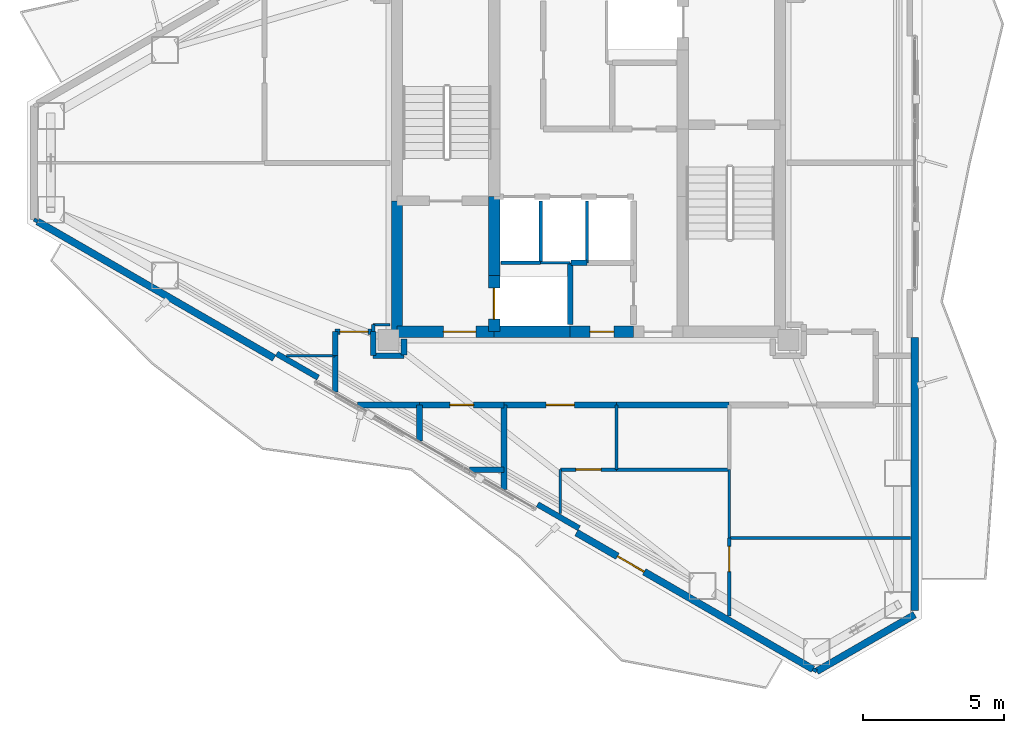
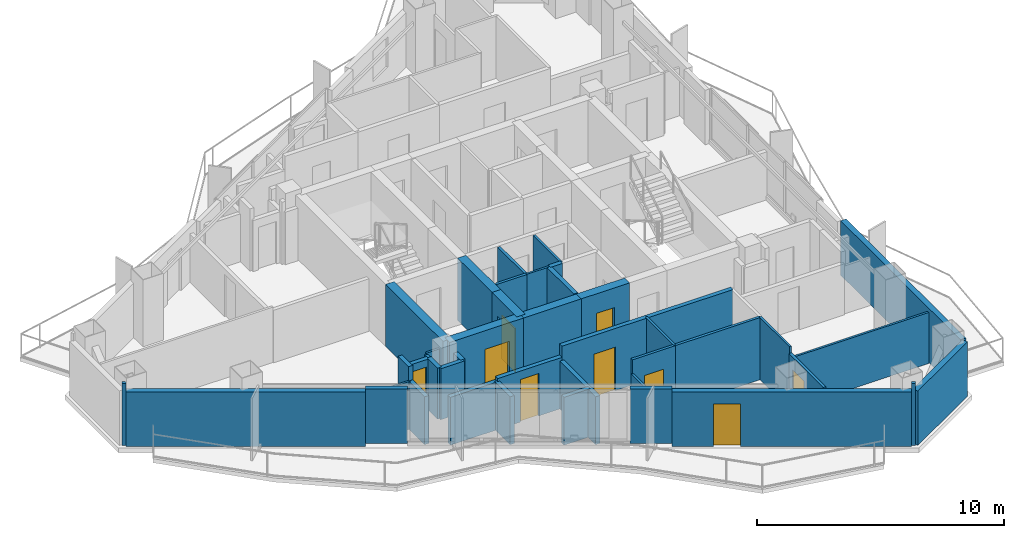
# One storey, part 16 of 21: 43 walls, 9 doors, 9 openings.
"""IFC4 building model written with IfcOpenShell, lengths in metres."""

from ifc_helpers import new_model, si_unit, direction, frame, frame_2d, origin, place, context, subcontext, project, spatial, rectangle, extrude, material, layer, layer_set, type_object, element, fill, save


model = new_model("IFC4")

# Units and contexts
model_context = context("Model", 3, precision=1e-05, world=origin(), true_north=direction((0.0, 1.0)))
body_context = subcontext(model_context, "Body", "Model", "MODEL_VIEW")
ifc_project = project(units=[si_unit("LENGTHUNIT", "METRE"), si_unit("AREAUNIT", "SQUARE_METRE"), si_unit("VOLUMEUNIT", "CUBIC_METRE"), si_unit("PLANEANGLEUNIT", "RADIAN"), si_unit("MASSUNIT", "GRAM", prefix="KILO")], contexts=[model_context])

# Site, building, storey
site_placement = place(None, origin())
site = spatial("IfcSite", under=ifc_project, at=site_placement, CompositionType="ELEMENT")
building_placement = place(site_placement, origin())
building = spatial("IfcBuilding", under=site, at=building_placement, Name="Mersakhor Tower and Convention Hall", CompositionType="ELEMENT")
storey_placement = place(building_placement, frame((0.0, 0.0, 182.10009765625)))
storey = spatial("IfcBuildingStorey", under=building, at=storey_placement, Name="L50", CompositionType="ELEMENT", Elevation=182.10009765625)

# Walls
ifc_material_1 = material(Name="Precast concrete C40/50", Category="concrete")
ifc_layer_1 = layer(ifc_material_1, 0.25)
ifc_layer_set_1 = layer_set([ifc_layer_1], Name="Precast concrete C40/50")
wall_type_1 = type_object("IfcWallType", Name="WL-EXT-250", PredefinedType="SOLIDWALL", material=ifc_layer_set_1)
wall_1_placement = place(storey_placement, frame((40.58837890625, 10.70166015625, 0.0), z_axis=(0.0, 0.0, 1.0), x_axis=(-0.866023907196, -0.500002592159, 0.0)))
element("IfcWall", 1, at=wall_1_placement, inside=storey, type_object=wall_type_1, Name="L50 Chamfer Braced Spandrel Wall C2", PredefinedType="SOLIDWALL", context=body_context, shape_type="SweptSolid", body=[
    extrude(rectangle(XDim=4.0234375, YDim=0.25, at=frame_2d((2.01171875, 0.0))), origin(), (0.0, 0.0, 1.0), 2.68994140625),
])
wall_2_placement = place(storey_placement, frame((40.58837890625, 20.550537109375, 0.0), z_axis=(0.0, 0.0, 1.0), x_axis=(0.0, -1.0, 0.0)))
element("IfcWall", 2, at=wall_2_placement, inside=storey, type_object=wall_type_1, Name="L50 Exterior Facade Wall F2-B3", PredefinedType="SOLIDWALL", context=body_context, shape_type="SweptSolid", body=[
    extrude(rectangle(XDim=9.698974609375, YDim=0.25, at=frame_2d((4.849609375, 0.0))), origin(), (0.0, 0.0, 1.0), 2.68994140625),
])

# Wall, opening, door
wall_3_placement = place(storey_placement, frame((36.97412109375, 8.764892578125, 0.0), z_axis=(0.0, 0.0, 1.0), x_axis=(-0.866016233231, 0.500015883528, 0.0)))
wall_3 = element("IfcWall", 3, at=wall_3_placement, inside=storey, type_object=wall_type_1, Name="L50 Exterior Facade Wall F3-B1", PredefinedType="SOLIDWALL", context=body_context, shape_type="SweptSolid", body=[
    extrude(rectangle(XDim=9.698974609375, YDim=0.25, at=frame_2d((4.849609375, 0.0))), origin(), (0.0, 0.0, 1.0), 2.68994140625),
])
opening_1_placement = place(wall_3_placement, frame((6.9189453125, 0.0, 0.0)))
opening_1 = element("IfcOpeningElement", 4, at=opening_1_placement, cuts=wall_3, Name="Opening BD-02", PredefinedType="OPENING", context=body_context, shape_type="SweptSolid", body=[
    extrude(rectangle(XDim=1.10009765625, YDim=2.10009765625, at=frame_2d((0.550048828125, 1.050048828125))), frame((0.0, 0.135009765625, 0.0), z_axis=(0.0, -1.0, 0.0), x_axis=(1.0, 0.0, 0.0)), (0.0, 0.0, 1.0), 0.27001953125),
])
ifc_material_2 = material(Name="Thermally broken dark aluminium and safety glass", Category="aluminium")
door_type_1 = type_object("IfcDoorType", Name="DR-BAL-110x210", OperationType="NOTDEFINED", PredefinedType="DOOR", material=ifc_material_2)
door_1_placement = place(opening_1_placement, origin())
door_1 = element("IfcDoor", 5, at=door_1_placement, inside=storey, type_object=door_type_1, Name="L50 Balcony Terrace Door F3-B1", OperationType="SINGLE_SWING_RIGHT", OverallHeight=2.10009765625, OverallWidth=1.10009765625, PredefinedType="DOOR", context=body_context, shape_type="SweptSolid", body=[
    extrude(rectangle(XDim=1.10009765625, YDim=2.10009765625, at=frame_2d((0.550048828125, 1.050048828125))), frame((0.0, 0.02490234375, 0.0), z_axis=(0.0, -1.0, 0.0), x_axis=(1.0, 0.0, 0.0)), (0.0, 0.0, 1.0), 0.050048828125),
])
fill(opening_1, door_1)

# Walls
wall_4_placement = place(storey_placement, frame((17.8369140625, 19.81396484375, 0.0), z_axis=(0.0, 0.0, 1.0), x_axis=(-0.866027133173, 0.499997004599, 0.0)))
element("IfcWall", 6, at=wall_4_placement, inside=storey, type_object=wall_type_1, Name="L50 Exterior Facade Wall F3-B3", PredefinedType="SOLIDWALL", context=body_context, shape_type="SweptSolid", body=[
    extrude(rectangle(XDim=9.69873046875, YDim=0.25, at=frame_2d((4.849365234375, 0.0))), origin(), (0.0, 0.0, 1.0), 2.68994140625),
])
ifc_material_3 = material(Name="Precast concrete C40/50", Category="concrete")
ifc_layer_2 = layer(ifc_material_3, 0.199951171875)
ifc_layer_set_2 = layer_set([ifc_layer_2], Name="Precast concrete C40/50")
wall_type_2 = type_object("IfcWallType", Name="WL-PAR-200", PredefinedType="PARAPET", material=ifc_layer_set_2)
wall_5_placement = place(storey_placement, frame((28.664794921875, 13.770263671875, 0.0), z_axis=(0.0, 0.0, 1.0), x_axis=(-0.866025371046, 0.500000056704, 0.0)))
element("IfcWall", 7, at=wall_5_placement, inside=storey, type_object=wall_type_2, Name="L50 Column Pier Cladding Wall F3-C1", PredefinedType="PARAPET", context=body_context, shape_type="SweptSolid", body=[
    extrude(rectangle(XDim=1.7001953125, YDim=0.199951171875, at=frame_2d((0.85009765625, 0.0))), origin(), (0.0, 0.0, 1.0), 2.68994140625),
])
wall_6_placement = place(storey_placement, frame((19.399169921875, 19.119873046875, 0.0), z_axis=(0.0, 0.0, 1.0), x_axis=(-0.86605165483, 0.499954529098, 0.0)))
element("IfcWall", 8, at=wall_6_placement, inside=storey, type_object=wall_type_2, Name="L50 Column Pier Cladding Wall F3-C2", PredefinedType="PARAPET", context=body_context, shape_type="SweptSolid", body=[
    extrude(rectangle(XDim=1.699951171875, YDim=0.199951171875, at=frame_2d((0.85009765625, 0.0))), origin(), (0.0, 0.0, 1.0), 2.68994140625),
])
ifc_material_4 = material(Name="Lightweight gypsum partition", Category="other")
ifc_layer_3 = layer(ifc_material_4, 0.10009765625)
ifc_layer_set_3 = layer_set([ifc_layer_3], Name="Lightweight gypsum partition")
wall_type_3 = type_object("IfcWallType", Name="WL-PRT-100", PredefinedType="PARTITIONING", material=ifc_layer_set_3)
wall_7_placement = place(storey_placement, frame((27.300048828125, 23.199951171875, 0.0), z_axis=(0.0, 0.0, 1.0), x_axis=(1.0, 0.0, 0.0)))
element("IfcWall", 9, at=wall_7_placement, inside=storey, type_object=wall_type_3, Name="L50 Interior Partition Wall P-002", PredefinedType="PARTITIONING", context=body_context, shape_type="SweptSolid", body=[
    extrude(rectangle(XDim=1.050048828125, YDim=0.10009765625, at=frame_2d((0.52490234375, 0.0))), origin(), (0.0, 0.0, 1.0), 3.06982421875),
])
wall_8_placement = place(storey_placement, frame((28.949951171875, 25.39990234375, 0.0), z_axis=(0.0, 0.0, 1.0), x_axis=(0.0, -1.0, 0.0)))
element("IfcWall", 10, at=wall_8_placement, inside=storey, type_object=wall_type_3, Name="L50 Interior Partition Wall P-008", PredefinedType="PARTITIONING", context=body_context, shape_type="SweptSolid", body=[
    extrude(rectangle(XDim=2.199951171875, YDim=0.10009765625, at=frame_2d((1.10009765625, 0.0))), origin(), (0.0, 0.0, 1.0), 3.06982421875),
])
wall_9_placement = place(storey_placement, frame((21.949951171875, 21.0, 0.0), z_axis=(0.0, 0.0, 1.0), x_axis=(-1.0, 0.0, 0.0)))
element("IfcWall", 11, at=wall_9_placement, inside=storey, type_object=wall_type_3, Name="L50 Interior Partition Wall P-058", PredefinedType="PARTITIONING", context=body_context, shape_type="SweptSolid", body=[
    extrude(rectangle(XDim=0.599853515625, YDim=0.10009765625, at=frame_2d((0.2998046875, 0.0))), origin(), (0.0, 0.0, 1.0), 2.594970703125),
])
wall_10_placement = place(storey_placement, frame((20.0, 19.89990234375, 0.0), z_axis=(0.0, 0.0, 1.0), x_axis=(-1.0, 0.0, 0.0)))
element("IfcWall", 12, at=wall_10_placement, inside=storey, type_object=wall_type_3, Name="L50 Interior Partition Wall P-060", PredefinedType="PARTITIONING", context=body_context, shape_type="SweptSolid", body=[
    extrude(rectangle(XDim=1.726806640625, YDim=0.10009765625, at=frame_2d((0.86328125, 0.0))), origin(), (0.0, 0.0, 1.0), 2.364990234375),
])
wall_11_placement = place(storey_placement, frame((30.0, 18.14990234375, 0.0), z_axis=(0.0, 0.0, 1.0), x_axis=(0.0, -1.0, 0.0)))
element("IfcWall", 13, at=wall_11_placement, inside=storey, type_object=wall_type_3, Name="L50 Interior Partition Wall P-084", PredefinedType="PARTITIONING", context=body_context, shape_type="SweptSolid", body=[
    extrude(rectangle(XDim=2.2998046875, YDim=0.10009765625, at=frame_2d((1.14990234375, 0.0))), origin(), (0.0, 0.0, 1.0), 3.06982421875),
])
wall_12_placement = place(storey_placement, frame((28.0, 15.85009765625, 0.0), z_axis=(0.0, 0.0, 1.0), x_axis=(0.0, -1.0, 0.0)))
element("IfcWall", 14, at=wall_12_placement, inside=storey, type_object=wall_type_3, Name="L50 Interior Partition Wall P-086", PredefinedType="PARTITIONING", context=body_context, shape_type="SweptSolid", body=[
    extrude(rectangle(XDim=1.552978515625, YDim=0.10009765625, at=frame_2d((0.7763671875, 0.0))), origin(), (0.0, 0.0, 1.0), 2.364990234375),
])
wall_13_placement = place(storey_placement, frame((34.0, 15.85009765625, 0.0), z_axis=(0.0, 0.0, 1.0), x_axis=(0.0, -1.0, 0.0)))
element("IfcWall", 15, at=wall_13_placement, inside=storey, type_object=wall_type_3, Name="L50 Interior Partition Wall P-088", PredefinedType="PARTITIONING", context=body_context, shape_type="SweptSolid", body=[
    extrude(rectangle(XDim=2.43017578125, YDim=0.10009765625, at=frame_2d((1.215087890625, 0.0))), origin(), (0.0, 0.0, 1.0), 3.06982421875),
])
wall_14_placement = place(storey_placement, frame((34.0, 13.419921875, 0.0), z_axis=(0.0, 0.0, 1.0), x_axis=(1.0, 0.0, 0.0)))
element("IfcWall", 16, at=wall_14_placement, inside=storey, type_object=wall_type_3, Name="L50 Interior Partition Wall P-090", PredefinedType="PARTITIONING", context=body_context, shape_type="SweptSolid", body=[
    extrude(rectangle(XDim=6.439453125, YDim=0.10009765625, at=frame_2d((3.2197265625, 0.0))), origin(), (0.0, 0.0, 1.0), 2.518310546875),
])
ifc_material_5 = material(Name="Gypsum board acoustic partition", Category="other")
ifc_layer_4 = layer(ifc_material_5, 0.125)
ifc_layer_set_4 = layer_set([ifc_layer_4], Name="Gypsum board acoustic partition")
wall_type_4 = type_object("IfcWallType", Name="WL-PRT-125", PredefinedType="PARTITIONING", material=ifc_layer_set_4)
wall_15_placement = place(storey_placement, frame((25.89990234375, 23.199951171875, 0.0), z_axis=(0.0, 0.0, 1.0), x_axis=(1.0, 0.0, 0.0)))
element("IfcWall", 17, at=wall_15_placement, inside=storey, type_object=wall_type_4, Name="L50 Interior Partition Wall P-001", PredefinedType="PARTITIONING", context=body_context, shape_type="SweptSolid", body=[
    extrude(rectangle(XDim=1.400146484375, YDim=0.125, at=frame_2d((0.7001953125, 0.0))), origin(), (0.0, 0.0, 1.0), 3.06982421875),
])
wall_16_placement = place(storey_placement, frame((27.300048828125, 25.39990234375, 0.0), z_axis=(0.0, 0.0, 1.0), x_axis=(0.0, -1.0, 0.0)))
element("IfcWall", 18, at=wall_16_placement, inside=storey, type_object=wall_type_4, Name="L50 Interior Partition Wall P-007", PredefinedType="PARTITIONING", context=body_context, shape_type="SweptSolid", body=[
    extrude(rectangle(XDim=2.199951171875, YDim=0.125, at=frame_2d((1.10009765625, 0.0))), origin(), (0.0, 0.0, 1.0), 3.06982421875),
])
wall_17_placement = place(storey_placement, frame((21.35009765625, 21.0, 0.0), z_axis=(0.0, 0.0, 1.0), x_axis=(0.0, -1.0, 0.0)))
element("IfcWall", 19, at=wall_17_placement, inside=storey, type_object=wall_type_4, Name="L50 Interior Partition Wall P-059", PredefinedType="PARTITIONING", context=body_context, shape_type="SweptSolid", body=[
    extrude(rectangle(XDim=0.25, YDim=0.125, at=frame_2d((0.125, 0.0))), origin(), (0.0, 0.0, 1.0), 2.518310546875),
])
wall_18_placement = place(storey_placement, frame((9.437255859375, 24.662841796875, 0.0), z_axis=(0.0, 0.0, 1.0), x_axis=(-0.866239593359, 0.499628829129, 0.0)))
element("IfcWall", 20, at=wall_18_placement, inside=storey, type_object=wall_type_4, Name="L50 Interior Partition Wall P-061", PredefinedType="PARTITIONING", context=body_context, shape_type="SweptSolid", body=[
    extrude(rectangle(XDim=0.150390625, YDim=0.125, at=frame_2d((0.0751953125, 0.0))), origin(), (0.0, 0.0, 1.0), 3.06982421875),
])

# Wall, opening, door
wall_19_placement = place(storey_placement, frame((30.0, 15.85009765625, 0.0), z_axis=(0.0, 0.0, 1.0), x_axis=(-1.0, 0.0, 0.0)))
wall_19 = element("IfcWall", 21, at=wall_19_placement, inside=storey, type_object=wall_type_4, Name="L50 Interior Partition Wall P-085", PredefinedType="PARTITIONING", context=body_context, shape_type="SweptSolid", body=[
    extrude(rectangle(XDim=2.0, YDim=0.125, at=frame_2d((1.0, 0.0))), origin(), (0.0, 0.0, 1.0), 3.06982421875),
])
opening_2_placement = place(wall_19_placement, frame((0.550048828125, 0.0, 0.0)))
opening_2 = element("IfcOpeningElement", 22, at=opening_2_placement, cuts=wall_19, Name="Opening WD-01", PredefinedType="OPENING", context=body_context, shape_type="SweptSolid", body=[
    extrude(rectangle(XDim=0.89990234375, YDim=2.10009765625, at=frame_2d((0.449951171875, 1.050048828125))), frame((0.0, 0.072509765625, 0.0), z_axis=(0.0, -1.0, 0.0), x_axis=(1.0, 0.0, 0.0)), (0.0, 0.0, 1.0), 0.14501953125),
])
ifc_material_6 = material(Name="Solid-core hardwood leaf in painted steel frame", Category="steel")
door_type_2 = type_object("IfcDoorType", Name="DR-INT-WET-090x210", OperationType="NOTDEFINED", PredefinedType="DOOR", material=ifc_material_6)
door_2_placement = place(opening_2_placement, origin())
door_2 = element("IfcDoor", 23, at=door_2_placement, inside=storey, type_object=door_type_2, Name="L50 L50 Floor Shared Tea Pantry 2-2 to L50 Floor Residents Study Room 2-3 Door", OperationType="SINGLE_SWING_LEFT", OverallHeight=2.10009765625, OverallWidth=0.89990234375, PredefinedType="DOOR", context=body_context, shape_type="SweptSolid", body=[
    extrude(rectangle(XDim=0.89990234375, YDim=2.10009765625, at=frame_2d((0.449951171875, 1.050048828125))), frame((0.0, 0.02490234375, 0.0), z_axis=(0.0, -1.0, 0.0), x_axis=(1.0, 0.0, 0.0)), (0.0, 0.0, 1.0), 0.050048828125),
])
fill(opening_2, door_2)

# Wall
wall_20_placement = place(storey_placement, frame((30.0, 15.85009765625, 0.0), z_axis=(0.0, 0.0, 1.0), x_axis=(1.0, 0.0, 0.0)))
element("IfcWall", 24, at=wall_20_placement, inside=storey, type_object=wall_type_4, Name="L50 Interior Partition Wall P-087", PredefinedType="PARTITIONING", context=body_context, shape_type="SweptSolid", body=[
    extrude(rectangle(XDim=4.0, YDim=0.125, at=frame_2d((2.0, 0.0))), origin(), (0.0, 0.0, 1.0), 3.06982421875),
])

# Wall, opening, door
wall_21_placement = place(storey_placement, frame((34.0, 13.419921875, 0.0), z_axis=(0.0, 0.0, 1.0), x_axis=(0.0, -1.0, 0.0)))
wall_21 = element("IfcWall", 25, at=wall_21_placement, inside=storey, type_object=wall_type_4, Name="L50 Interior Partition Wall P-089", PredefinedType="PARTITIONING", context=body_context, shape_type="SweptSolid", body=[
    extrude(rectangle(XDim=2.765625, YDim=0.125, at=frame_2d((1.3828125, 0.0))), origin(), (0.0, 0.0, 1.0), 2.734375),
])
opening_3_placement = place(wall_21_placement, frame((0.293212890625, 0.0, 0.0)))
opening_3 = element("IfcOpeningElement", 26, at=opening_3_placement, cuts=wall_21, Name="Opening WD-01", PredefinedType="OPENING", context=body_context, shape_type="SweptSolid", body=[
    extrude(rectangle(XDim=0.89990234375, YDim=2.10009765625, at=frame_2d((0.449951171875, 1.050048828125))), frame((0.0, 0.072509765625, 0.0), z_axis=(0.0, -1.0, 0.0), x_axis=(1.0, 0.0, 0.0)), (0.0, 0.0, 1.0), 0.14501953125),
])
door_3_placement = place(opening_3_placement, origin())
door_3 = element("IfcDoor", 27, at=door_3_placement, inside=storey, type_object=door_type_2, Name="L50 L50 Floor Residents Study Room 2-3 to L50 Floor Residents Study Room 2-4 Door", OperationType="SINGLE_SWING_RIGHT", OverallHeight=2.10009765625, OverallWidth=0.89990234375, PredefinedType="DOOR", context=body_context, shape_type="SweptSolid", body=[
    extrude(rectangle(XDim=0.89990234375, YDim=2.10009765625, at=frame_2d((0.449951171875, 1.050048828125))), frame((0.0, 0.02490234375, 0.0), z_axis=(0.0, -1.0, 0.0), x_axis=(1.0, 0.0, 0.0)), (0.0, 0.0, 1.0), 0.050048828125),
])
fill(opening_3, door_3)

# Walls
wall_22_placement = place(storey_placement, frame((37.10400390625, 8.68994140625, 0.0), z_axis=(0.0, 0.0, 1.0), x_axis=(-0.866131372301, 0.499816412211, 0.0)))
element("IfcWall", 28, at=wall_22_placement, inside=storey, type_object=wall_type_4, Name="L50 Interior Partition Wall P-091", PredefinedType="PARTITIONING", context=body_context, shape_type="SweptSolid", body=[
    extrude(rectangle(XDim=0.14990234375, YDim=0.125, at=frame_2d((0.074951171875, 0.0))), origin(), (0.0, 0.0, 1.0), 3.06982421875),
])
ifc_material_7 = material(Name="Acoustic concrete blockwork and gypsum board", Category="masonry")
ifc_layer_5 = layer(ifc_material_7, 0.199951171875)
ifc_layer_set_5 = layer_set([ifc_layer_5], Name="Acoustic concrete blockwork and gypsum board")
wall_type_5 = type_object("IfcWallType", Name="WL-PRT-200", PredefinedType="PARTITIONING", material=ifc_layer_set_5)
wall_23_placement = place(storey_placement, frame((28.35009765625, 23.199951171875, 0.0), z_axis=(0.0, 0.0, 1.0), x_axis=(0.0, -1.0, 0.0)))
element("IfcWall", 29, at=wall_23_placement, inside=storey, type_object=wall_type_5, Name="L50 Interior Partition Wall P-003", PredefinedType="PARTITIONING", context=body_context, shape_type="SweptSolid", body=[
    extrude(rectangle(XDim=2.199951171875, YDim=0.199951171875, at=frame_2d((1.10009765625, 0.0))), origin(), (0.0, 0.0, 1.0), 3.06982421875),
])
wall_24_placement = place(storey_placement, frame((28.949951171875, 23.199951171875, 0.0), z_axis=(0.0, 0.0, 1.0), x_axis=(-1.0, 0.0, 0.0)))
element("IfcWall", 30, at=wall_24_placement, inside=storey, type_object=wall_type_5, Name="L50 Interior Partition Wall P-009", PredefinedType="PARTITIONING", context=body_context, shape_type="SweptSolid", body=[
    extrude(rectangle(XDim=0.570068359375, YDim=0.199951171875, at=frame_2d((0.28515625, 0.0))), origin(), (0.0, 0.0, 1.0), 3.06982421875),
])

# Wall, opening, door
wall_25_placement = place(storey_placement, frame((20.0, 20.75, 0.0), z_axis=(0.0, 0.0, 1.0), x_axis=(1.0, 0.0, 0.0)))
wall_25 = element("IfcWall", 31, at=wall_25_placement, inside=storey, type_object=wall_type_5, Name="L50 Interior Partition Wall P-033", PredefinedType="PARTITIONING", context=body_context, shape_type="SweptSolid", body=[
    extrude(rectangle(XDim=1.35009765625, YDim=0.199951171875, at=frame_2d((0.675048828125, 0.0))), origin(), (0.0, 0.0, 1.0), 2.518310546875),
])
opening_4_placement = place(wall_25_placement, frame((0.175048828125, 0.0, 0.0)))
opening_4 = element("IfcOpeningElement", 32, at=opening_4_placement, cuts=wall_25, Name="Opening FD-01", PredefinedType="OPENING", context=body_context, shape_type="SweptSolid", body=[
    extrude(rectangle(XDim=1.0, YDim=2.14990234375, at=frame_2d((0.5, 1.074951171875))), frame((0.0, 0.10986328125, 0.0), z_axis=(0.0, -1.0, 0.0), x_axis=(1.0, 0.0, 0.0)), (0.0, 0.0, 1.0), 0.219970703125),
])
ifc_material_8 = material(Name="Fire-rated hardwood leaf and painted steel frame", Category="steel")
door_type_3 = type_object("IfcDoorType", Name="DR-INT-FLT-100x215", OperationType="NOTDEFINED", PredefinedType="DOOR", material=ifc_material_8)
door_4_placement = place(opening_4_placement, origin())
door_4 = element("IfcDoor", 33, at=door_4_placement, inside=storey, type_object=door_type_3, Name="L50 Residential South Gallery Corridor to L50 West Wing Co-Working Office Door", OperationType="SINGLE_SWING_LEFT", OverallHeight=2.14990234375, OverallWidth=1.0, PredefinedType="DOOR", context=body_context, shape_type="SweptSolid", body=[
    extrude(rectangle(XDim=1.0, YDim=2.14990234375, at=frame_2d((0.5, 1.074951171875))), frame((0.0, 0.02490234375, 0.0), z_axis=(0.0, -1.0, 0.0), x_axis=(1.0, 0.0, 0.0)), (0.0, 0.0, 1.0), 0.050048828125),
])
fill(opening_4, door_4)

# Walls
wall_26_placement = place(storey_placement, frame((21.35009765625, 20.75, 0.0), z_axis=(0.0, 0.0, 1.0), x_axis=(0.0, -1.0, 0.0)))
element("IfcWall", 34, at=wall_26_placement, inside=storey, type_object=wall_type_5, Name="L50 Interior Partition Wall P-034", PredefinedType="PARTITIONING", context=body_context, shape_type="SweptSolid", body=[
    extrude(rectangle(XDim=0.85009765625, YDim=0.199951171875, at=frame_2d((0.425048828125, 0.0))), origin(), (0.0, 0.0, 1.0), 2.518310546875),
])
wall_27_placement = place(storey_placement, frame((21.35009765625, 19.89990234375, 0.0), z_axis=(0.0, 0.0, 1.0), x_axis=(1.0, 0.0, 0.0)))
element("IfcWall", 35, at=wall_27_placement, inside=storey, type_object=wall_type_5, Name="L50 Interior Partition Wall P-035", PredefinedType="PARTITIONING", context=body_context, shape_type="SweptSolid", body=[
    extrude(rectangle(XDim=1.099853515625, YDim=0.199951171875, at=frame_2d((0.5498046875, 0.0))), origin(), (0.0, 0.0, 1.0), 2.518310546875),
])
wall_28_placement = place(storey_placement, frame((22.449951171875, 19.929931640625, 0.0), z_axis=(0.0, 0.0, 1.0), x_axis=(0.0, 1.0, 0.0)))
element("IfcWall", 36, at=wall_28_placement, inside=storey, type_object=wall_type_5, Name="L50 Interior Partition Wall P-036", PredefinedType="PARTITIONING", context=body_context, shape_type="SweptSolid", body=[
    extrude(rectangle(XDim=0.570068359375, YDim=0.199951171875, at=frame_2d((0.28515625, 0.0))), origin(), (0.0, 0.0, 1.0), 2.518310546875),
])
wall_29_placement = place(storey_placement, frame((34.0, 18.14990234375, 0.0), z_axis=(0.0, 0.0, 1.0), x_axis=(-1.0, 0.0, 0.0)))
element("IfcWall", 37, at=wall_29_placement, inside=storey, type_object=wall_type_5, Name="L50 Interior Partition Wall P-044", PredefinedType="PARTITIONING", context=body_context, shape_type="SweptSolid", body=[
    extrude(rectangle(XDim=4.0, YDim=0.199951171875, at=frame_2d((2.0, 0.0))), origin(), (0.0, 0.0, 1.0), 3.06982421875),
])

# Wall, opening, door
wall_30_placement = place(storey_placement, frame((30.0, 18.14990234375, 0.0), z_axis=(0.0, 0.0, 1.0), x_axis=(-1.0, 0.0, 0.0)))
wall_30 = element("IfcWall", 38, at=wall_30_placement, inside=storey, type_object=wall_type_5, Name="L50 Interior Partition Wall P-045", PredefinedType="PARTITIONING", context=body_context, shape_type="SweptSolid", body=[
    extrude(rectangle(XDim=4.0, YDim=0.199951171875, at=frame_2d((2.0, 0.0))), origin(), (0.0, 0.0, 1.0), 3.06982421875),
])
opening_5_placement = place(wall_30_placement, frame((1.5, 0.0, 0.0)))
opening_5 = element("IfcOpeningElement", 39, at=opening_5_placement, cuts=wall_30, Name="Opening FD-01", PredefinedType="OPENING", context=body_context, shape_type="SweptSolid", body=[
    extrude(rectangle(XDim=1.0, YDim=2.14990234375, at=frame_2d((0.5, 1.074951171875))), frame((0.0, 0.10986328125, 0.0), z_axis=(0.0, -1.0, 0.0), x_axis=(1.0, 0.0, 0.0)), (0.0, 0.0, 1.0), 0.219970703125),
])
door_5_placement = place(opening_5_placement, origin())
door_5 = element("IfcDoor", 40, at=door_5_placement, inside=storey, type_object=door_type_3, Name="L50 Residential South Gallery Corridor to L50 Floor Shared Tea Pantry 2-2 Door", OperationType="SINGLE_SWING_RIGHT", OverallHeight=2.14990234375, OverallWidth=1.0, PredefinedType="DOOR", context=body_context, shape_type="SweptSolid", body=[
    extrude(rectangle(XDim=1.0, YDim=2.14990234375, at=frame_2d((0.5, 1.074951171875))), frame((0.0, 0.02490234375, 0.0), z_axis=(0.0, -1.0, 0.0), x_axis=(1.0, 0.0, 0.0)), (0.0, 0.0, 1.0), 0.050048828125),
])
fill(opening_5, door_5)

wall_31_placement = place(storey_placement, frame((26.0, 18.14990234375, 0.0), z_axis=(0.0, 0.0, 1.0), x_axis=(-1.0, 0.0, 0.0)))
wall_31 = element("IfcWall", 41, at=wall_31_placement, inside=storey, type_object=wall_type_5, Name="L50 Interior Partition Wall P-046", PredefinedType="PARTITIONING", context=body_context, shape_type="SweptSolid", body=[
    extrude(rectangle(XDim=3.0, YDim=0.199951171875, at=frame_2d((1.5, 0.0))), origin(), (0.0, 0.0, 1.0), 2.518310546875),
])
opening_6_placement = place(wall_31_placement, frame((1.074951171875, 0.0, 0.0)))
opening_6 = element("IfcOpeningElement", 42, at=opening_6_placement, cuts=wall_31, Name="Opening SVD-01", PredefinedType="OPENING", context=body_context, shape_type="SweptSolid", body=[
    extrude(rectangle(XDim=0.85009765625, YDim=2.10009765625, at=frame_2d((0.425048828125, 1.050048828125))), frame((0.0, 0.10986328125, 0.0), z_axis=(0.0, -1.0, 0.0), x_axis=(1.0, 0.0, 0.0)), (0.0, 0.0, 1.0), 0.219970703125),
])
ifc_material_9 = material(Name="Fire-rated hardwood leaf and painted steel frame", Category="steel")
door_type_4 = type_object("IfcDoorType", Name="DR-INT-SVC-085x210", OperationType="NOTDEFINED", PredefinedType="DOOR", material=ifc_material_9)
door_6_placement = place(opening_6_placement, origin())
door_6 = element("IfcDoor", 43, at=door_6_placement, inside=storey, type_object=door_type_4, Name="L50 Residential South Gallery Corridor to L50 Floor Household Store Room 2-1 Door", OperationType="SINGLE_SWING_LEFT", OverallHeight=2.10009765625, OverallWidth=0.85009765625, PredefinedType="DOOR", context=body_context, shape_type="SweptSolid", body=[
    extrude(rectangle(XDim=0.85009765625, YDim=2.10009765625, at=frame_2d((0.425048828125, 1.050048828125))), frame((0.0, 0.02490234375, 0.0), z_axis=(0.0, -1.0, 0.0), x_axis=(1.0, 0.0, 0.0)), (0.0, 0.0, 1.0), 0.050048828125),
])
fill(opening_6, door_6)

# Walls
wall_32_placement = place(storey_placement, frame((23.0, 18.14990234375, 0.0), z_axis=(0.0, 0.0, 1.0), x_axis=(-1.0, 0.0, 0.0)))
element("IfcWall", 44, at=wall_32_placement, inside=storey, type_object=wall_type_5, Name="L50 Interior Partition Wall P-047", PredefinedType="PARTITIONING", context=body_context, shape_type="SweptSolid", body=[
    extrude(rectangle(XDim=2.2119140625, YDim=0.199951171875, at=frame_2d((1.10595703125, 0.0))), origin(), (0.0, 0.0, 1.0), 2.364990234375),
])
wall_33_placement = place(storey_placement, frame((20.0, 18.60888671875, 0.0), z_axis=(0.0, 0.0, 1.0), x_axis=(0.0, 1.0, 0.0)))
element("IfcWall", 45, at=wall_33_placement, inside=storey, type_object=wall_type_5, Name="L50 Interior Partition Wall P-048", PredefinedType="PARTITIONING", context=body_context, shape_type="SweptSolid", body=[
    extrude(rectangle(XDim=1.291015625, YDim=0.199951171875, at=frame_2d((0.6455078125, 0.0))), origin(), (0.0, 0.0, 1.0), 2.364990234375),
])
wall_34_placement = place(storey_placement, frame((20.0, 19.89990234375, 0.0), z_axis=(0.0, 0.0, 1.0), x_axis=(0.0, 1.0, 0.0)))
element("IfcWall", 46, at=wall_34_placement, inside=storey, type_object=wall_type_5, Name="L50 Interior Partition Wall P-049", PredefinedType="PARTITIONING", context=body_context, shape_type="SweptSolid", body=[
    extrude(rectangle(XDim=0.85009765625, YDim=0.199951171875, at=frame_2d((0.425048828125, 0.0))), origin(), (0.0, 0.0, 1.0), 3.06982421875),
])
wall_35_placement = place(storey_placement, frame((26.0, 18.14990234375, 0.0), z_axis=(0.0, 0.0, 1.0), x_axis=(0.0, -1.0, 0.0)))
element("IfcWall", 47, at=wall_35_placement, inside=storey, type_object=wall_type_5, Name="L50 Interior Partition Wall P-081", PredefinedType="PARTITIONING", context=body_context, shape_type="SweptSolid", body=[
    extrude(rectangle(XDim=3.005126953125, YDim=0.199951171875, at=frame_2d((1.50244140625, 0.0))), origin(), (0.0, 0.0, 1.0), 2.364990234375),
])
wall_36_placement = place(storey_placement, frame((26.0, 15.85009765625, 0.0), z_axis=(0.0, 0.0, 1.0), x_axis=(-1.0, 0.0, 0.0)))
element("IfcWall", 48, at=wall_36_placement, inside=storey, type_object=wall_type_5, Name="L50 Interior Partition Wall P-082", PredefinedType="PARTITIONING", context=body_context, shape_type="SweptSolid", body=[
    extrude(rectangle(XDim=1.228515625, YDim=0.199951171875, at=frame_2d((0.6142578125, 0.0))), origin(), (0.0, 0.0, 1.0), 2.364990234375),
])
wall_37_placement = place(storey_placement, frame((23.0, 16.876953125, 0.0), z_axis=(0.0, 0.0, 1.0), x_axis=(0.0, 1.0, 0.0)))
element("IfcWall", 49, at=wall_37_placement, inside=storey, type_object=wall_type_5, Name="L50 Interior Partition Wall P-083", PredefinedType="PARTITIONING", context=body_context, shape_type="SweptSolid", body=[
    extrude(rectangle(XDim=1.27294921875, YDim=0.199951171875, at=frame_2d((0.636474609375, 0.0))), origin(), (0.0, 0.0, 1.0), 2.364990234375),
])
ifc_material_10 = material(Name="Concrete C60/75", Category="concrete")
ifc_layer_6 = layer(ifc_material_10, 0.39990234375)
ifc_layer_set_6 = layer_set([ifc_layer_6], Name="Concrete C60/75")
wall_type_6 = type_object("IfcWallType", Name="WL-SHR-400", PredefinedType="SHEAR", material=ifc_layer_set_6)
wall_38_placement = place(storey_placement, frame((22.199951171875, 20.75, 0.0), z_axis=(0.0, 0.0, 1.0), x_axis=(0.0, 1.0, 0.0)))
element("IfcWall", 50, at=wall_38_placement, inside=storey, type_object=wall_type_6, Name="L50 Core Wall CW-W1", PredefinedType="SHEAR", context=body_context, shape_type="SweptSolid", body=[
    extrude(rectangle(XDim=4.64990234375, YDim=0.39990234375, at=frame_2d((2.324951171875, 0.0))), origin(), (0.0, 0.0, 1.0), 3.06982421875),
])

# Wall, opening, door
wall_39_placement = place(storey_placement, frame((30.60009765625, 20.75, 0.0), z_axis=(0.0, 0.0, 1.0), x_axis=(-1.0, 0.0, 0.0)))
wall_39 = element("IfcWall", 51, at=wall_39_placement, inside=storey, type_object=wall_type_6, Name="L50 Core Wall CW-S2B", PredefinedType="SHEAR", context=body_context, shape_type="SweptSolid", body=[
    extrude(rectangle(XDim=2.25, YDim=0.39990234375, at=frame_2d((1.125, 0.0))), origin(), (0.0, 0.0, 1.0), 3.06982421875),
])
opening_7_placement = place(wall_39_placement, frame((0.699951171875, 0.0, 0.0)))
opening_7 = element("IfcOpeningElement", 52, at=opening_7_placement, cuts=wall_39, Name="Opening SVD-01", PredefinedType="OPENING", context=body_context, shape_type="SweptSolid", body=[
    extrude(rectangle(XDim=0.85009765625, YDim=2.10009765625, at=frame_2d((0.425048828125, 1.050048828125))), frame((0.0, 0.2099609375, 0.0), z_axis=(0.0, -1.0, 0.0), x_axis=(1.0, 0.0, 0.0)), (0.0, 0.0, 1.0), 0.419921875),
])
door_7_placement = place(opening_7_placement, origin())
door_7 = element("IfcDoor", 53, at=door_7_placement, inside=storey, type_object=door_type_4, Name="L50 Residential South Gallery Corridor to Electrical Switchroom Door", OperationType="SINGLE_SWING_RIGHT", OverallHeight=2.10009765625, OverallWidth=0.85009765625, PredefinedType="DOOR", context=body_context, shape_type="SweptSolid", body=[
    extrude(rectangle(XDim=0.85009765625, YDim=2.10009765625, at=frame_2d((0.425048828125, 1.050048828125))), frame((0.0, 0.02490234375, 0.0), z_axis=(0.0, -1.0, 0.0), x_axis=(1.0, 0.0, 0.0)), (0.0, 0.0, 1.0), 0.050048828125),
])
fill(opening_7, door_7)

# Wall
wall_40_placement = place(storey_placement, frame((28.35009765625, 20.75, 0.0), z_axis=(0.0, 0.0, 1.0), x_axis=(-1.0, 0.0, 0.0)))
element("IfcWall", 54, at=wall_40_placement, inside=storey, type_object=wall_type_6, Name="L50 Core Wall CW-S3", PredefinedType="SHEAR", context=body_context, shape_type="SweptSolid", body=[
    extrude(rectangle(XDim=2.7001953125, YDim=0.39990234375, at=frame_2d((1.35009765625, 0.0))), origin(), (0.0, 0.0, 1.0), 3.06982421875),
])

# Wall, opening, door
wall_41_placement = place(storey_placement, frame((25.64990234375, 20.75, 0.0), z_axis=(0.0, 0.0, 1.0), x_axis=(-1.0, 0.0, 0.0)))
wall_41 = element("IfcWall", 55, at=wall_41_placement, inside=storey, type_object=wall_type_6, Name="L50 Core Wall CW-S4", PredefinedType="SHEAR", context=body_context, shape_type="SweptSolid", body=[
    extrude(rectangle(XDim=3.449951171875, YDim=0.39990234375, at=frame_2d((1.72509765625, 0.0))), origin(), (0.0, 0.0, 1.0), 3.06982421875),
])
opening_8_placement = place(wall_41_placement, frame((0.64990234375, 0.0, 0.0)))
opening_8 = element("IfcOpeningElement", 56, at=opening_8_placement, cuts=wall_41, Name="Opening SD-01", PredefinedType="OPENING", context=body_context, shape_type="SweptSolid", body=[
    extrude(rectangle(XDim=1.14990234375, YDim=2.14990234375, at=frame_2d((0.574951171875, 1.074951171875))), frame((0.0, 0.2099609375, 0.0), z_axis=(0.0, -1.0, 0.0), x_axis=(1.0, 0.0, 0.0)), (0.0, 0.0, 1.0), 0.419921875),
])
ifc_material_11 = material(Name="Fire-rated hardwood leaf and painted steel frame", Category="steel")
door_type_5 = type_object("IfcDoorType", Name="DR-INT-STAIR-115x215", OperationType="NOTDEFINED", PredefinedType="DOOR", material=ifc_material_11)
door_8_placement = place(opening_8_placement, origin())
door_8 = element("IfcDoor", 57, at=door_8_placement, inside=storey, type_object=door_type_5, Name="L50 Firefighting Lobby West Fire Door", OperationType="SINGLE_SWING_LEFT", OverallHeight=2.14990234375, OverallWidth=1.14990234375, PredefinedType="DOOR", context=body_context, shape_type="SweptSolid", body=[
    extrude(rectangle(XDim=1.14990234375, YDim=2.14990234375, at=frame_2d((0.574951171875, 1.074951171875))), frame((0.0, 0.02490234375, 0.0), z_axis=(0.0, -1.0, 0.0), x_axis=(1.0, 0.0, 0.0)), (0.0, 0.0, 1.0), 0.050048828125),
])
fill(opening_8, door_8)

wall_42_placement = place(storey_placement, frame((25.64990234375, 20.75, 0.0), z_axis=(0.0, 0.0, 1.0), x_axis=(0.0, 1.0, 0.0)))
wall_42 = element("IfcWall", 58, at=wall_42_placement, inside=storey, type_object=wall_type_6, Name="L50 Core Wall CS-W-FFL", PredefinedType="SHEAR", context=body_context, shape_type="SweptSolid", body=[
    extrude(rectangle(XDim=2.0, YDim=0.39990234375, at=frame_2d((1.0, 0.0))), origin(), (0.0, 0.0, 1.0), 3.06982421875),
])
opening_9_placement = place(wall_42_placement, frame((0.449951171875, 0.0, 0.0)))
opening_9 = element("IfcOpeningElement", 59, at=opening_9_placement, cuts=wall_42, Name="Opening LD-FFL1", PredefinedType="OPENING", context=body_context, shape_type="SweptSolid", body=[
    extrude(rectangle(XDim=1.10009765625, YDim=2.14990234375, at=frame_2d((0.550048828125, 1.074951171875))), frame((0.0, 0.2099609375, 0.0), z_axis=(0.0, -1.0, 0.0), x_axis=(1.0, 0.0, 0.0)), (0.0, 0.0, 1.0), 0.419921875),
])
ifc_material_12 = material(Name="Fire-rated brushed stainless steel sliding landing door", Category="steel")
door_type_6 = type_object("IfcDoorType", Name="DR-LIFT-SLD-110x215", OperationType="NOTDEFINED", PredefinedType="DOOR", material=ifc_material_12)
door_9_placement = place(opening_9_placement, origin())
door_9 = element("IfcDoor", 60, at=door_9_placement, inside=storey, type_object=door_type_6, Name="L50 Firefighting Lift Landing Door LD-FFL1", OperationType="SLIDING_TO_LEFT", OverallHeight=2.14990234375, OverallWidth=1.10009765625, PredefinedType="DOOR", context=body_context, shape_type="SweptSolid", body=[
    extrude(rectangle(XDim=1.10009765625, YDim=2.14990234375, at=frame_2d((0.550048828125, 1.074951171875))), frame((0.0, 0.02490234375, 0.0), z_axis=(0.0, -1.0, 0.0), x_axis=(1.0, 0.0, 0.0)), (0.0, 0.0, 1.0), 0.050048828125),
])
fill(opening_9, door_9)

# Wall
wall_43_placement = place(storey_placement, frame((25.64990234375, 22.75, 0.0), z_axis=(0.0, 0.0, 1.0), x_axis=(0.0, 1.0, 0.0)))
element("IfcWall", 61, at=wall_43_placement, inside=storey, type_object=wall_type_6, Name="L50 Core Wall CS-W-MID", PredefinedType="SHEAR", context=body_context, shape_type="SweptSolid", body=[
    extrude(rectangle(XDim=2.800048828125, YDim=0.39990234375, at=frame_2d((1.39990234375, 0.0))), origin(), (0.0, 0.0, 1.0), 3.06982421875),
])

save(model, "model.ifc")
